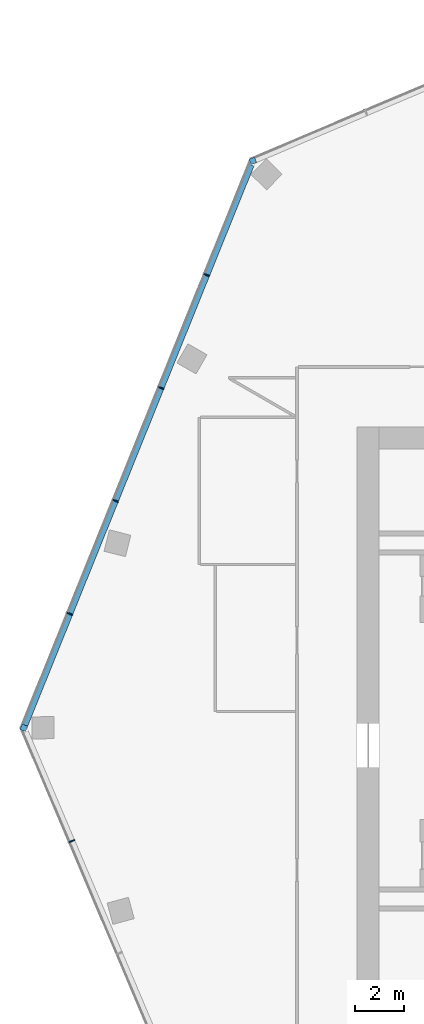
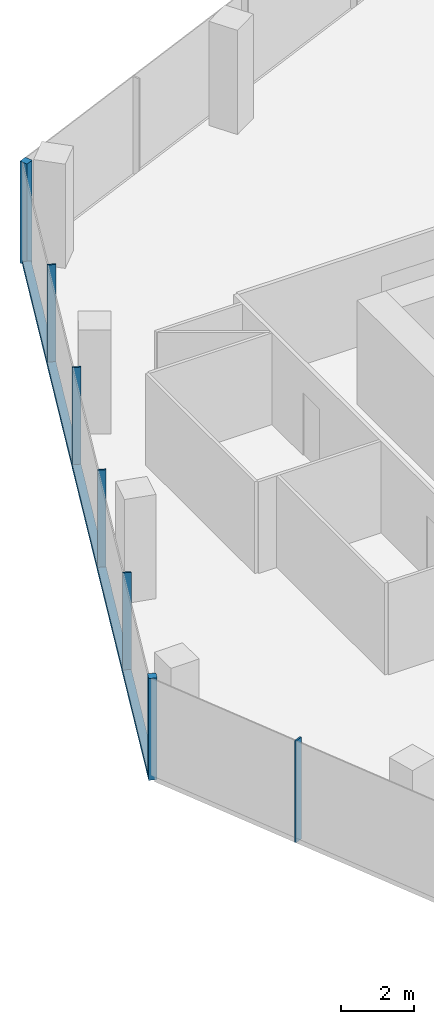
# One storey, part 6 of 16: 8 members, 3 elements without a shape of their own.
"""IFC4 building model written with IfcOpenShell, lengths in metres."""

import ifcopenshell
import ifcopenshell.guid

model = None  # the IFC model being written
_history = None  # IfcOwnerHistory: only IFC2X3 demands one
_inside = {}  # id of a spatial element -> (the spatial element, [elements in it])
_under = {}  # id of a project, library or spatial element -> (it, [spatial elements below it])
_declared = {}  # id of a project -> (the project, [libraries it declares])
_typed = {}  # id of a type object -> (the type object, [elements of that type])
_made_of = {}  # id of a material, layer set ... -> (it, [elements and type objects made of it])


def new_model(schema):
    """Start an empty IFC model of exactly this schema.

    Asked for "IFC4X3", IfcOpenShell would pick the latest addendum, in which some entities
    have other attributes; the version numbers below select the first issue.
    IFC2X3 requires an IfcOwnerHistory on every rooted entity: one is made here for all.
    """
    global model, _history
    if schema == "IFC4X3":
        model = ifcopenshell.file(schema_version=(4, 3, 0, 0))
    else:
        model = ifcopenshell.file(schema=schema)
    _inside.clear()
    _under.clear()
    _declared.clear()
    _typed.clear()
    _made_of.clear()
    _history = None
    if model.schema == "IFC2X3":
        org = make("IfcOrganization", Name="unknown")
        user = make(
            "IfcPersonAndOrganization",
            ThePerson=make("IfcPerson", FamilyName="unknown"),
            TheOrganization=org,
        )
        app = make(
            "IfcApplication",
            ApplicationDeveloper=org,
            Version="unknown",
            ApplicationFullName="unknown",
            ApplicationIdentifier="unknown",
        )
        _history = make(
            "IfcOwnerHistory",
            OwningUser=user,
            OwningApplication=app,
            ChangeAction="ADDED",
            CreationDate=0,
        )
    return model


def make(cls, **values):
    """One entity of the class cls with the attributes given. An attribute that is None is left unset."""
    return model.create_entity(
        cls, **{name: value for name, value in values.items() if value is not None}
    )


def rooted(cls, **values):
    """An entity with a GlobalId (a new one), such as an element, a storey or a relation."""
    return make(cls, GlobalId=ifcopenshell.guid.new(), OwnerHistory=_history, **values)


def si_unit(unit_type, name, prefix=None):
    """IfcSIUnit, for example si_unit("LENGTHUNIT", "METRE", prefix="MILLI")."""
    return make("IfcSIUnit", UnitType=unit_type, Prefix=prefix, Name=name)


def assignment(units):
    """IfcUnitAssignment: the units of a project."""
    return None if units is None else make("IfcUnitAssignment", Units=units)


def point(xyz):
    """IfcCartesianPoint."""
    return None if xyz is None else make("IfcCartesianPoint", Coordinates=xyz)


def direction(xyz):
    """IfcDirection."""
    return None if xyz is None else make("IfcDirection", DirectionRatios=xyz)


def frame(location, z_axis=None, x_axis=None):
    """IfcAxis2Placement3D, a coordinate frame: its origin and axes. An axis left out is left unset."""
    return make(
        "IfcAxis2Placement3D",
        Location=point(location),
        Axis=direction(z_axis),
        RefDirection=direction(x_axis),
    )


def frame_2d(location, x_axis=None):
    """IfcAxis2Placement2D, a coordinate frame in the plane: its origin and x axis."""
    return make(
        "IfcAxis2Placement2D", Location=point(location), RefDirection=direction(x_axis)
    )


def origin():
    """The frame at (0, 0, 0) with its axes left unset."""
    return frame((0.0, 0.0, 0.0))


def origin_2d():
    """The frame at (0, 0) in the plane with its x axis left unset."""
    return frame_2d((0.0, 0.0))


def place(relative_to, where):
    """IfcLocalPlacement: puts the frame where relative to a parent placement (None: the world)."""
    return make(
        "IfcLocalPlacement", PlacementRelTo=relative_to, RelativePlacement=where
    )


def context(
    kind, dimensions, precision=None, world=None, true_north=None, identifier=None
):
    """IfcGeometricRepresentationContext, for example the 3D "Model" context."""
    return make(
        "IfcGeometricRepresentationContext",
        ContextIdentifier=identifier,
        ContextType=kind,
        CoordinateSpaceDimension=dimensions,
        Precision=precision,
        WorldCoordinateSystem=world,
        TrueNorth=true_north,
    )


def subcontext(parent, identifier, kind, view, scale=None):
    """IfcGeometricRepresentationSubContext, for example "Body" below "Model"."""
    return make(
        "IfcGeometricRepresentationSubContext",
        ContextIdentifier=identifier,
        ContextType=kind,
        ParentContext=parent,
        TargetScale=scale,
        TargetView=view,
    )


def project(units=None, contexts=None):
    """IfcProject with its units and contexts."""
    return rooted(
        "IfcProject",
        Name="project",
        RepresentationContexts=contexts,
        UnitsInContext=assignment(units),
    )


def spatial(cls, under=None, at=None, **own):
    """A site, building, storey or space (cls), placed at a placement, below another one or the project."""
    s = rooted(cls, ObjectPlacement=at, **own)
    if under is not None:
        _under.setdefault(under.id(), (under, []))[1].append(s)
    return s


def profile(cls, at=None, kind="AREA", **sizes):
    """A parametric profile (cls). Its sizes go by their IFC names, for example OverallWidth=200.0."""
    return make(cls, ProfileType=kind, Position=at, **sizes)


def rectangle(**sizes):
    """IfcRectangleProfileDef."""
    return profile("IfcRectangleProfileDef", **sizes)


def extrude(swept, where, along, depth):
    """IfcExtrudedAreaSolid: the profile swept, set in the frame where, extruded along a direction by depth."""
    return make(
        "IfcExtrudedAreaSolid",
        SweptArea=swept,
        Position=where,
        ExtrudedDirection=direction(along),
        Depth=depth,
    )


def shape(context_of_items, identifier, shape_type, items):
    """IfcShapeRepresentation: the items that make up one representation, for example the "Body"."""
    return make(
        "IfcShapeRepresentation",
        ContextOfItems=context_of_items,
        RepresentationIdentifier=identifier,
        RepresentationType=shape_type,
        Items=items,
    )


def material(Name=None, Category=None):
    """IfcMaterial."""
    return make("IfcMaterial", Name=Name, Category=Category)


def material_profile(
    of_material, cross_section, Name=None, Category=None, Priority=None
):
    """IfcMaterialProfile: a cross section and its material."""
    return make(
        "IfcMaterialProfile",
        Name=Name,
        Material=of_material,
        Profile=cross_section,
        Priority=Priority,
        Category=Category,
    )


def profile_set(profiles, Name=None, composite=None):
    """IfcMaterialProfileSet."""
    return make(
        "IfcMaterialProfileSet",
        Name=Name,
        MaterialProfiles=profiles,
        CompositeProfile=composite,
    )


def made_of(thing, what):
    """Note that an element or type object is made of a material, layer set ...; save() writes the relation."""
    if what is not None:
        _made_of.setdefault(what.id(), (what, []))[1].append(thing)
    return thing


def type_object(cls, material=None, **own):
    """A type object (cls), such as IfcWallType, which elements share."""
    return made_of(rooted(cls, **own), material)


def element(
    cls,
    number,
    at=None,
    inside=None,
    cuts=None,
    type_object=None,
    material=None,
    context=None,
    identifier="Body",
    shape_type=None,
    held_by="IfcProductDefinitionShape",
    body=None,
    shapes=None,
    **own,
):
    """One element of the class cls, such as IfcWall. Its Tag is "e" and its number.

    at: its placement. inside: the storey or other place that contains it. cuts: it is an
    opening in that element (IfcRelVoidsElement). A single representation is given by context,
    identifier, shape_type and body (its items); several are given by shapes. held_by: the class
    of the entity that holds the representations. save() writes the other relations.
    """
    e = rooted(cls, Tag="e%d" % number, ObjectPlacement=at, **own)
    if body is not None:
        shapes = [shape(context, identifier, shape_type, body)]
    if shapes is not None:
        e.Representation = make(held_by, Representations=shapes)
    if inside is not None:
        _inside.setdefault(inside.id(), (inside, []))[1].append(e)
    if cuts is not None:
        rooted(
            "IfcRelVoidsElement", RelatingBuildingElement=cuts, RelatedOpeningElement=e
        )
    if type_object is not None:
        _typed.setdefault(type_object.id(), (type_object, []))[1].append(e)
    return made_of(e, material)


def aggregate(whole, parts):
    """IfcRelAggregates: a whole, such as a stair, and the parts it consists of."""
    return rooted("IfcRelAggregates", RelatingObject=whole, RelatedObjects=parts)


def save(model, path):
    """Write the relations noted so far, then the file.

    IfcRelAggregates (storeys below a building ...), IfcRelContainedInSpatialStructure (elements
    in a storey), IfcRelDefinesByType, IfcRelAssociatesMaterial and IfcRelDeclares: one each for
    every whole, place, type object, material and project.
    """
    for whole, parts in _under.values():
        aggregate(whole, parts)
    for where, things in _inside.values():
        rooted(
            "IfcRelContainedInSpatialStructure",
            RelatedElements=things,
            RelatingStructure=where,
        )
    for kind, things in _typed.values():
        rooted("IfcRelDefinesByType", RelatedObjects=things, RelatingType=kind)
    for what, things in _made_of.values():
        rooted("IfcRelAssociatesMaterial", RelatedObjects=things, RelatingMaterial=what)
    for by, libraries in _declared.values():
        rooted("IfcRelDeclares", RelatingContext=by, RelatedDefinitions=libraries)
    model.write(path)


model = new_model("IFC4")

# Units and contexts
model_context = context("Model", 3, precision=1e-05, world=origin(), true_north=direction((0.0, 1.0)))
body_context = subcontext(model_context, "Body", "Model", "MODEL_VIEW")
ifc_project = project(units=[si_unit("LENGTHUNIT", "METRE"), si_unit("AREAUNIT", "SQUARE_METRE"), si_unit("VOLUMEUNIT", "CUBIC_METRE"), si_unit("PLANEANGLEUNIT", "RADIAN"), si_unit("MASSUNIT", "GRAM", prefix="KILO")], contexts=[model_context])

# Site, building, storey
site_placement = place(None, origin())
site = spatial("IfcSite", under=ifc_project, at=site_placement, CompositionType="ELEMENT")
building_placement = place(site_placement, origin())
building = spatial("IfcBuilding", under=site, at=building_placement, Name="Orlundy Tower", CompositionType="ELEMENT")
storey_placement = place(building_placement, frame((0.0, 0.0, 292.89990234375)))
storey = spatial("IfcBuildingStorey", under=building, at=storey_placement, Name="L78", CompositionType="ELEMENT", Elevation=292.89990234375)

# Curtain wall, member
ifc_material_1 = material(Name="Aluminium bronze anodised", Category="aluminium")
curtain_wall_type = type_object("IfcCurtainWallType", Name="CW6 wall", PredefinedType="NOTDEFINED", material=ifc_material_1)
curtain_wall_1_placement = place(storey_placement, origin())
curtain_wall_1 = element("IfcCurtainWall", 1, at=curtain_wall_1_placement, inside=storey, type_object=curtain_wall_type, Name="CW6 run 015", PredefinedType="NOTDEFINED")
ifc_material_2 = material(Name="Aluminium bronze anodised", Category="aluminium")
ifc_material_profile_1 = material_profile(ifc_material_2, rectangle(XDim=0.239990234375, YDim=0.239990234375, at=origin_2d()), Name="CW6 corner post 240x240")
ifc_profile_set_1 = profile_set([ifc_material_profile_1], Name="Aluminium bronze anodised")
member_type_1 = type_object("IfcMemberType", Name="CW6 corner post 240x240", PredefinedType="MULLION", material=ifc_profile_set_1)
member_1_placement = place(storey_placement, frame((-32.600830078125, -0.2841796875, -0.31982421875), z_axis=(0.0, 0.0, 1.0), x_axis=(-0.927183523653, 0.374607412456, 0.0)))
member_1 = element("IfcMember", 2, at=member_1_placement, type_object=member_type_1, Name="CW6 mullion 25", PredefinedType="MULLION", context=body_context, shape_type="SweptSolid", body=[
    extrude(rectangle(XDim=0.239990234375, YDim=0.239990234375, at=origin_2d()), origin(), (0.0, 0.0, 1.0), 3.419921875),
])

curtain_wall_2_placement = place(storey_placement, origin())
curtain_wall_2 = element("IfcCurtainWall", 3, at=curtain_wall_2_placement, inside=storey, type_object=curtain_wall_type, Name="CW6 run 016", PredefinedType="NOTDEFINED")
member_2_placement = place(storey_placement, frame((-23.253662109375, 22.85107421875, -0.31982421875), z_axis=(0.0, 0.0, 1.0), x_axis=(-0.390726531244, 0.920506804854, 0.0)))
member_2 = element("IfcMember", 4, at=member_2_placement, type_object=member_type_1, Name="CW6 mullion 30", PredefinedType="MULLION", context=body_context, shape_type="SweptSolid", body=[
    extrude(rectangle(XDim=0.239990234375, YDim=0.239990234375, at=origin_2d()), origin(), (0.0, 0.0, 1.0), 3.419921875),
])
aggregate(curtain_wall_2, [member_2])

curtain_wall_3_placement = place(storey_placement, origin())
curtain_wall_3 = element("IfcCurtainWall", 5, at=curtain_wall_3_placement, inside=storey, type_object=curtain_wall_type, Name="CW6 run 014", PredefinedType="NOTDEFINED")
ifc_material_3 = material(Name="Aluminium bronze anodised", Category="aluminium")
ifc_material_profile_2 = material_profile(ifc_material_3, rectangle(XDim=0.239990234375, YDim=0.050048828125, at=origin_2d()), Name="CW6 mullion 50x240")
ifc_profile_set_2 = profile_set([ifc_material_profile_2], Name="Aluminium bronze anodised")
member_type_2 = type_object("IfcMemberType", Name="CW6 mullion 50x240", PredefinedType="MULLION", material=ifc_profile_set_2)
member_3_placement = place(storey_placement, frame((-30.63916015625, -4.905517578125, -0.31982421875), z_axis=(0.0, 0.0, 1.0), x_axis=(-0.920506804854, -0.390726531244, 0.0)))
member_3 = element("IfcMember", 6, at=member_3_placement, type_object=member_type_2, Name="CW6 mullion 24", PredefinedType="MULLION", context=body_context, shape_type="SweptSolid", body=[
    extrude(rectangle(XDim=0.239990234375, YDim=0.050048828125, at=origin_2d()), origin(), (0.0, 0.0, 1.0), 3.419921875),
])
aggregate(curtain_wall_3, [member_3])

# Member
member_4_placement = place(storey_placement, frame((-30.72021484375, 4.37060546875, -0.31982421875), z_axis=(0.0, 0.0, 1.0), x_axis=(-0.927183523653, 0.374607412456, 0.0)))
member_4 = element("IfcMember", 7, at=member_4_placement, type_object=member_type_2, Name="CW6 mullion 26", PredefinedType="MULLION", context=body_context, shape_type="SweptSolid", body=[
    extrude(rectangle(XDim=0.239990234375, YDim=0.050048828125, at=origin_2d()), origin(), (0.0, 0.0, 1.0), 3.419921875),
])

member_5_placement = place(storey_placement, frame((-28.858154296875, 8.979248046875, -0.31982421875), z_axis=(0.0, 0.0, 1.0), x_axis=(-0.927183523653, 0.374607412456, 0.0)))
member_5 = element("IfcMember", 8, at=member_5_placement, type_object=member_type_2, Name="CW6 mullion 27", PredefinedType="MULLION", context=body_context, shape_type="SweptSolid", body=[
    extrude(rectangle(XDim=0.239990234375, YDim=0.050048828125, at=origin_2d()), origin(), (0.0, 0.0, 1.0), 3.419921875),
])

member_6_placement = place(storey_placement, frame((-26.996337890625, 13.587646484375, -0.31982421875), z_axis=(0.0, 0.0, 1.0), x_axis=(-0.927183523653, 0.374607412456, 0.0)))
member_6 = element("IfcMember", 9, at=member_6_placement, type_object=member_type_2, Name="CW6 mullion 28", PredefinedType="MULLION", context=body_context, shape_type="SweptSolid", body=[
    extrude(rectangle(XDim=0.239990234375, YDim=0.050048828125, at=origin_2d()), origin(), (0.0, 0.0, 1.0), 3.419921875),
])

member_7_placement = place(storey_placement, frame((-25.13427734375, 18.1962890625, -0.31982421875), z_axis=(0.0, 0.0, 1.0), x_axis=(-0.927183523653, 0.374607412456, 0.0)))
member_7 = element("IfcMember", 10, at=member_7_placement, type_object=member_type_2, Name="CW6 mullion 29", PredefinedType="MULLION", context=body_context, shape_type="SweptSolid", body=[
    extrude(rectangle(XDim=0.239990234375, YDim=0.050048828125, at=origin_2d()), origin(), (0.0, 0.0, 1.0), 3.419921875),
])

ifc_material_4 = material(Name="Aluminium bronze anodised", Category="aluminium")
ifc_material_profile_3 = material_profile(ifc_material_4, rectangle(XDim=0.239990234375, YDim=0.159912109375, at=origin_2d()), Name="CW6 transom 240x160")
ifc_profile_set_3 = profile_set([ifc_material_profile_3], Name="Aluminium bronze anodised")
member_type_3 = type_object("IfcMemberType", Name="CW6 transom 240x160", PredefinedType="USERDEFINED", material=ifc_profile_set_3)
member_8_placement = place(storey_placement, frame((-32.555908203125, -0.1728515625, -0.239990234375), z_axis=(0.374610845619, 0.927182136554, 0.0), x_axis=(-0.927182136554, 0.374610845619, 0.0)))
member_8 = element("IfcMember", 11, at=member_8_placement, type_object=member_type_3, Name="CW6 transom", ObjectType="TRANSOM", PredefinedType="USERDEFINED", context=body_context, shape_type="SweptSolid", body=[
    extrude(rectangle(XDim=0.239990234375, YDim=0.159912109375, at=origin_2d()), origin(), (0.0, 0.0, 1.0), 24.662353515625),
])

aggregate(curtain_wall_1, [member_1, member_4, member_5, member_6, member_7, member_8])

save(model, "model.ifc")
